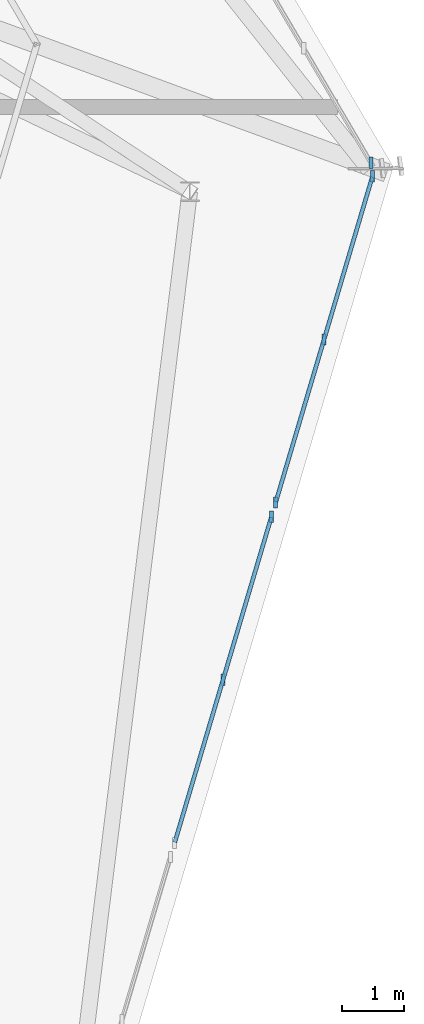
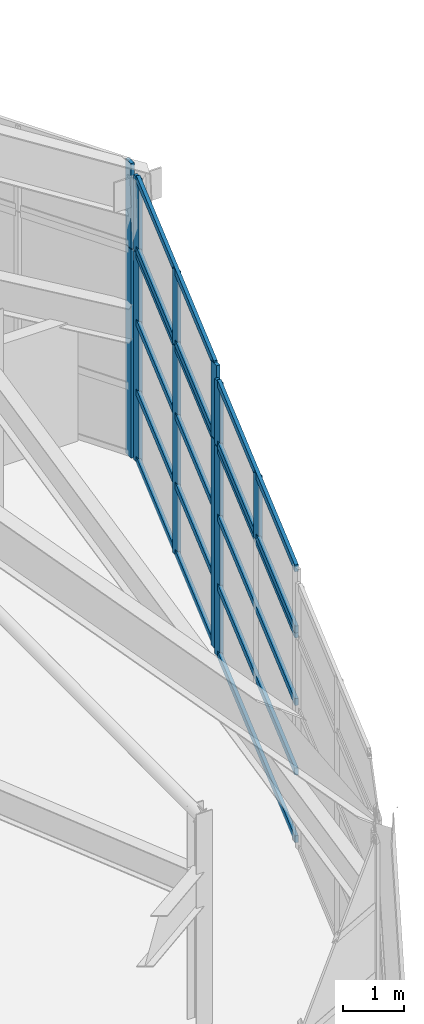
# One storey, part 16 of 50: 23 members, 6 elements without a shape of their own.
"""IFC4 building model written with IfcOpenShell, lengths in metres."""

from ifc_helpers import new_model, si_unit, direction, frame, origin, origin_2d, place, context, subcontext, project, spatial, rectangle, extrude, material, material_profile, profile_set, type_object, element, aggregate, save


model = new_model("IFC4")

# Units and contexts
model_context = context("Model", 3, precision=1e-05, world=origin(), true_north=direction((0.0, 1.0)))
body_context = subcontext(model_context, "Body", "Model", "MODEL_VIEW")
ifc_project = project(units=[si_unit("LENGTHUNIT", "METRE"), si_unit("AREAUNIT", "SQUARE_METRE"), si_unit("VOLUMEUNIT", "CUBIC_METRE"), si_unit("PLANEANGLEUNIT", "RADIAN"), si_unit("MASSUNIT", "GRAM", prefix="KILO")], contexts=[model_context])

# Site, building, storey
site_placement = place(None, origin())
site = spatial("IfcSite", under=ifc_project, at=site_placement, CompositionType="ELEMENT")
building_placement = place(site_placement, origin())
building = spatial("IfcBuilding", under=site, at=building_placement, Name="Sarnbrook Museum", CompositionType="ELEMENT")
storey_placement = place(building_placement, frame((0.0, 0.0, 28.10009765625)))
storey = spatial("IfcBuildingStorey", under=building, at=storey_placement, Name="L05", CompositionType="ELEMENT", Elevation=28.10009765625)

# Curtain wall, member
ifc_material = material(Name="Thermally Broken Anodised Aluminium 6063-T6", Category="aluminium")
curtain_wall_type_1 = type_object("IfcCurtainWallType", Name="CurtainWall_CrystalFacet", PredefinedType="NOTDEFINED", material=ifc_material)
curtain_wall_1_placement = place(storey_placement, origin())
curtain_wall_1 = element("IfcCurtainWall", 1, at=curtain_wall_1_placement, inside=storey, type_object=curtain_wall_type_1, Name="Crystal Hall Facet Curtain Wall L05-F3.2", PredefinedType="NOTDEFINED")
ifc_material_profile_1 = material_profile(ifc_material, rectangle(XDim=0.06494140625, YDim=0.179931640625, at=origin_2d()), Name="ALU MULLION 65x180")
ifc_profile_set_1 = profile_set([ifc_material_profile_1], Name="Thermally Broken Anodised Aluminium 6063-T6")
member_type_1 = type_object("IfcMemberType", Name="CW_Mullion_180x75", PredefinedType="MULLION", material=ifc_profile_set_1)
member_1_placement = place(storey_placement, frame((163.925537109375, 81.959716796875, 0.0), z_axis=(0.0, 0.0, 1.0), x_axis=(1.0, 0.0, 0.0)))
member_1 = element("IfcMember", 2, at=member_1_placement, type_object=member_type_1, Name="Crystal Hall Facet Curtain Wall L05-F3.2 Mullion 3", PredefinedType="MULLION", context=body_context, shape_type="SweptSolid", body=[
    extrude(rectangle(XDim=0.06494140625, YDim=0.179931640625, at=origin_2d()), origin(), (0.0, 0.0, 1.0), 4.199951171875),
])

# Curtain wall, members
curtain_wall_type_2 = type_object("IfcCurtainWallType", Name="CurtainWall_Sawtooth", PredefinedType="NOTDEFINED", material=ifc_material)
curtain_wall_2_placement = place(storey_placement, origin())
curtain_wall_2 = element("IfcCurtainWall", 3, at=curtain_wall_2_placement, inside=storey, type_object=curtain_wall_type_2, Name="Crystal Roof Folded Eaves Clerestory 3", PredefinedType="NOTDEFINED")
member_2_placement = place(storey_placement, frame((163.1435546875, 79.325439453125, 4.219970703125), z_axis=(0.0, 0.0, 1.0), x_axis=(1.0, 0.0, 0.0)))
member_2 = element("IfcMember", 4, at=member_2_placement, type_object=member_type_1, Name="Crystal Roof Folded Eaves Clerestory 3 Mullion 2", PredefinedType="MULLION", context=body_context, shape_type="SweptSolid", body=[
    extrude(rectangle(XDim=0.06494140625, YDim=0.179931640625, at=origin_2d()), origin(), (0.0, 0.0, 1.0), 1.309814453125),
])
member_3_placement = place(storey_placement, frame((163.925537109375, 81.959716796875, 4.219970703125), z_axis=(0.0, 0.0, 1.0), x_axis=(1.0, 0.0, 0.0)))
member_3 = element("IfcMember", 5, at=member_3_placement, type_object=member_type_1, Name="Crystal Roof Folded Eaves Clerestory 3 Mullion 3", PredefinedType="MULLION", context=body_context, shape_type="SweptSolid", body=[
    extrude(rectangle(XDim=0.06494140625, YDim=0.179931640625, at=origin_2d()), origin(), (0.0, 0.0, 1.0), 1.309814453125),
])

curtain_wall_3_placement = place(storey_placement, origin())
curtain_wall_3 = element("IfcCurtainWall", 6, at=curtain_wall_3_placement, inside=storey, type_object=curtain_wall_type_1, Name="Crystal Hall Facet Curtain Wall L05-F3.3", PredefinedType="NOTDEFINED")
member_4_placement = place(storey_placement, frame((163.993896484375, 82.189697265625, 0.0), z_axis=(0.0, 0.0, 1.0), x_axis=(1.0, 0.0, 0.0)))
member_4 = element("IfcMember", 7, at=member_4_placement, type_object=member_type_1, Name="Crystal Hall Facet Curtain Wall L05-F3.3 Mullion 1", PredefinedType="MULLION", context=body_context, shape_type="SweptSolid", body=[
    extrude(rectangle(XDim=0.06494140625, YDim=0.179931640625, at=origin_2d()), origin(), (0.0, 0.0, 1.0), 4.199951171875),
])
member_5_placement = place(storey_placement, frame((164.77587890625, 84.82421875, 0.0), z_axis=(0.0, 0.0, 1.0), x_axis=(1.0, 0.0, 0.0)))
member_5 = element("IfcMember", 8, at=member_5_placement, type_object=member_type_1, Name="Crystal Hall Facet Curtain Wall L05-F3.3 Mullion 2", PredefinedType="MULLION", context=body_context, shape_type="SweptSolid", body=[
    extrude(rectangle(XDim=0.06494140625, YDim=0.179931640625, at=origin_2d()), origin(), (0.0, 0.0, 1.0), 4.199951171875),
])
member_6_placement = place(storey_placement, frame((165.55810546875, 87.45849609375, 0.0), z_axis=(0.0, 0.0, 1.0), x_axis=(1.0, 0.0, 0.0)))
member_6 = element("IfcMember", 9, at=member_6_placement, type_object=member_type_1, Name="Crystal Hall Facet Curtain Wall L05-F3.3 Mullion 3", PredefinedType="MULLION", context=body_context, shape_type="SweptSolid", body=[
    extrude(rectangle(XDim=0.06494140625, YDim=0.179931640625, at=origin_2d()), origin(), (0.0, 0.0, 1.0), 4.199951171875),
])

curtain_wall_4_placement = place(storey_placement, origin())
curtain_wall_4 = element("IfcCurtainWall", 10, at=curtain_wall_4_placement, inside=storey, type_object=curtain_wall_type_2, Name="Crystal Roof Folded Eaves Clerestory 4", PredefinedType="NOTDEFINED")
member_7_placement = place(storey_placement, frame((163.993896484375, 82.189697265625, 4.219970703125), z_axis=(0.0, 0.0, 1.0), x_axis=(1.0, 0.0, 0.0)))
member_7 = element("IfcMember", 11, at=member_7_placement, type_object=member_type_1, Name="Crystal Roof Folded Eaves Clerestory 4 Mullion 1", PredefinedType="MULLION", context=body_context, shape_type="SweptSolid", body=[
    extrude(rectangle(XDim=0.06494140625, YDim=0.179931640625, at=origin_2d()), origin(), (0.0, 0.0, 1.0), 1.510009765625),
])
member_8_placement = place(storey_placement, frame((164.77587890625, 84.82421875, 4.219970703125), z_axis=(0.0, 0.0, 1.0), x_axis=(1.0, 0.0, 0.0)))
member_8 = element("IfcMember", 12, at=member_8_placement, type_object=member_type_1, Name="Crystal Roof Folded Eaves Clerestory 4 Mullion 2", PredefinedType="MULLION", context=body_context, shape_type="SweptSolid", body=[
    extrude(rectangle(XDim=0.06494140625, YDim=0.179931640625, at=origin_2d()), origin(), (0.0, 0.0, 1.0), 1.510009765625),
])
member_9_placement = place(storey_placement, frame((165.55810546875, 87.45849609375, 4.219970703125), z_axis=(0.0, 0.0, 1.0), x_axis=(1.0, 0.0, 0.0)))
member_9 = element("IfcMember", 13, at=member_9_placement, type_object=member_type_1, Name="Crystal Roof Folded Eaves Clerestory 4 Mullion 3", PredefinedType="MULLION", context=body_context, shape_type="SweptSolid", body=[
    extrude(rectangle(XDim=0.06494140625, YDim=0.179931640625, at=origin_2d()), origin(), (0.0, 0.0, 1.0), 1.510009765625),
])

# Curtain wall, member
curtain_wall_5_placement = place(storey_placement, origin())
curtain_wall_5 = element("IfcCurtainWall", 14, at=curtain_wall_5_placement, inside=storey, type_object=curtain_wall_type_1, Name="Crystal Hall Facet Curtain Wall L05-F4.1", PredefinedType="NOTDEFINED")
member_10_placement = place(storey_placement, frame((165.531494140625, 87.677001953125, 0.0), z_axis=(0.0, 0.0, 1.0), x_axis=(1.0, 0.0, 0.0)))
member_10 = element("IfcMember", 15, at=member_10_placement, type_object=member_type_1, Name="Crystal Hall Facet Curtain Wall L05-F4.1 Mullion 1", PredefinedType="MULLION", context=body_context, shape_type="SweptSolid", body=[
    extrude(rectangle(XDim=0.06494140625, YDim=0.179931640625, at=origin_2d()), origin(), (0.0, 0.0, 1.0), 4.199951171875),
])
aggregate(curtain_wall_5, [member_10])

curtain_wall_6_placement = place(storey_placement, origin())
curtain_wall_6 = element("IfcCurtainWall", 16, at=curtain_wall_6_placement, inside=storey, type_object=curtain_wall_type_2, Name="Crystal Roof Folded Eaves Clerestory 5", PredefinedType="NOTDEFINED")
member_11_placement = place(storey_placement, frame((165.531494140625, 87.677001953125, 4.219970703125), z_axis=(0.0, 0.0, 1.0), x_axis=(1.0, 0.0, 0.0)))
member_11 = element("IfcMember", 17, at=member_11_placement, type_object=member_type_1, Name="Crystal Roof Folded Eaves Clerestory 5 Mullion 1", PredefinedType="MULLION", context=body_context, shape_type="SweptSolid", body=[
    extrude(rectangle(XDim=0.06494140625, YDim=0.179931640625, at=origin_2d()), origin(), (0.0, 0.0, 1.0), 1.7099609375),
])
aggregate(curtain_wall_6, [member_11])

# Member
ifc_material_profile_2 = material_profile(ifc_material, rectangle(XDim=0.06494140625, YDim=0.139892578125, at=origin_2d()), Name="ALU TRANSOM 65x140")
ifc_profile_set_2 = profile_set([ifc_material_profile_2], Name="Thermally Broken Anodised Aluminium 6063-T6")
member_type_2 = type_object("IfcMemberType", Name="CW_Transom_150x65", PredefinedType="USERDEFINED", material=ifc_profile_set_2)
member_12_placement = place(storey_placement, frame((162.364501953125, 76.70068359375, 0.039794921875), z_axis=(0.284581643041, 0.95865180772, 0.0), x_axis=(-0.95865180772, 0.284581643041, 0.0)))
member_12 = element("IfcMember", 18, at=member_12_placement, type_object=member_type_2, Name="Crystal Hall Facet Curtain Wall L05-F3.2 Transom 1", ObjectType="TRANSOM", PredefinedType="USERDEFINED", context=body_context, shape_type="SweptSolid", body=[
    extrude(rectangle(XDim=0.06494140625, YDim=0.139892578125, at=origin_2d()), origin(), (0.0, 0.0, 1.0), 5.475830078125),
])

member_13_placement = place(storey_placement, frame((162.364501953125, 76.70068359375, 1.39990234375), z_axis=(0.284581643041, 0.95865180772, 0.0), x_axis=(-0.95865180772, 0.284581643041, 0.0)))
member_13 = element("IfcMember", 19, at=member_13_placement, type_object=member_type_2, Name="Crystal Hall Facet Curtain Wall L05-F3.2 Transom 2", ObjectType="TRANSOM", PredefinedType="USERDEFINED", context=body_context, shape_type="SweptSolid", body=[
    extrude(rectangle(XDim=0.06494140625, YDim=0.139892578125, at=origin_2d()), origin(), (0.0, 0.0, 1.0), 5.475830078125),
])

member_14_placement = place(storey_placement, frame((162.364501953125, 76.70068359375, 2.7998046875), z_axis=(0.284581643041, 0.95865180772, 0.0), x_axis=(-0.95865180772, 0.284581643041, 0.0)))
member_14 = element("IfcMember", 20, at=member_14_placement, type_object=member_type_2, Name="Crystal Hall Facet Curtain Wall L05-F3.2 Transom 3", ObjectType="TRANSOM", PredefinedType="USERDEFINED", context=body_context, shape_type="SweptSolid", body=[
    extrude(rectangle(XDim=0.06494140625, YDim=0.139892578125, at=origin_2d()), origin(), (0.0, 0.0, 1.0), 5.475830078125),
])

member_15_placement = place(storey_placement, frame((162.364501953125, 76.70068359375, 4.159912109375), z_axis=(0.284581643041, 0.95865180772, 0.0), x_axis=(-0.95865180772, 0.284581643041, 0.0)))
member_15 = element("IfcMember", 21, at=member_15_placement, type_object=member_type_2, Name="Crystal Hall Facet Curtain Wall L05-F3.2 Transom 4", ObjectType="TRANSOM", PredefinedType="USERDEFINED", context=body_context, shape_type="SweptSolid", body=[
    extrude(rectangle(XDim=0.06494140625, YDim=0.139892578125, at=origin_2d()), origin(), (0.0, 0.0, 1.0), 5.475830078125),
])

aggregate(curtain_wall_1, [member_1, member_12, member_13, member_14, member_15])

member_16_placement = place(storey_placement, frame((162.364501953125, 76.70068359375, 4.260009765625), z_axis=(0.284581643041, 0.95865180772, 0.0), x_axis=(-0.95865180772, 0.284581643041, 0.0)))
member_16 = element("IfcMember", 22, at=member_16_placement, type_object=member_type_2, Name="Crystal Roof Folded Eaves Clerestory 3 Transom 1", ObjectType="TRANSOM", PredefinedType="USERDEFINED", context=body_context, shape_type="SweptSolid", body=[
    extrude(rectangle(XDim=0.06494140625, YDim=0.139892578125, at=origin_2d()), origin(), (0.0, 0.0, 1.0), 5.475830078125),
])

member_17_placement = place(storey_placement, frame((162.364501953125, 76.70068359375, 5.489990234375), z_axis=(0.284581643041, 0.95865180772, 0.0), x_axis=(-0.95865180772, 0.284581643041, 0.0)))
member_17 = element("IfcMember", 23, at=member_17_placement, type_object=member_type_2, Name="Crystal Roof Folded Eaves Clerestory 3 Transom 2", ObjectType="TRANSOM", PredefinedType="USERDEFINED", context=body_context, shape_type="SweptSolid", body=[
    extrude(rectangle(XDim=0.06494140625, YDim=0.139892578125, at=origin_2d()), origin(), (0.0, 0.0, 1.0), 5.475830078125),
])

aggregate(curtain_wall_2, [member_2, member_3, member_16, member_17])

member_18_placement = place(storey_placement, frame((163.996826171875, 82.199462890625, 0.039794921875), z_axis=(0.284593806793, 0.958648196751, 0.0), x_axis=(-0.958648196751, 0.284593806793, 0.0)))
member_18 = element("IfcMember", 24, at=member_18_placement, type_object=member_type_2, Name="Crystal Hall Facet Curtain Wall L05-F3.3 Transom 1", ObjectType="TRANSOM", PredefinedType="USERDEFINED", context=body_context, shape_type="SweptSolid", body=[
    extrude(rectangle(XDim=0.06494140625, YDim=0.139892578125, at=origin_2d()), origin(), (0.0, 0.0, 1.0), 5.4755859375),
])

member_19_placement = place(storey_placement, frame((163.996826171875, 82.199462890625, 1.39990234375), z_axis=(0.284593806793, 0.958648196751, 0.0), x_axis=(-0.958648196751, 0.284593806793, 0.0)))
member_19 = element("IfcMember", 25, at=member_19_placement, type_object=member_type_2, Name="Crystal Hall Facet Curtain Wall L05-F3.3 Transom 2", ObjectType="TRANSOM", PredefinedType="USERDEFINED", context=body_context, shape_type="SweptSolid", body=[
    extrude(rectangle(XDim=0.06494140625, YDim=0.139892578125, at=origin_2d()), origin(), (0.0, 0.0, 1.0), 5.4755859375),
])

member_20_placement = place(storey_placement, frame((163.996826171875, 82.199462890625, 2.7998046875), z_axis=(0.284593806793, 0.958648196751, 0.0), x_axis=(-0.958648196751, 0.284593806793, 0.0)))
member_20 = element("IfcMember", 26, at=member_20_placement, type_object=member_type_2, Name="Crystal Hall Facet Curtain Wall L05-F3.3 Transom 3", ObjectType="TRANSOM", PredefinedType="USERDEFINED", context=body_context, shape_type="SweptSolid", body=[
    extrude(rectangle(XDim=0.06494140625, YDim=0.139892578125, at=origin_2d()), origin(), (0.0, 0.0, 1.0), 5.4755859375),
])

member_21_placement = place(storey_placement, frame((163.996826171875, 82.199462890625, 4.159912109375), z_axis=(0.284593806793, 0.958648196751, 0.0), x_axis=(-0.958648196751, 0.284593806793, 0.0)))
member_21 = element("IfcMember", 27, at=member_21_placement, type_object=member_type_2, Name="Crystal Hall Facet Curtain Wall L05-F3.3 Transom 4", ObjectType="TRANSOM", PredefinedType="USERDEFINED", context=body_context, shape_type="SweptSolid", body=[
    extrude(rectangle(XDim=0.06494140625, YDim=0.139892578125, at=origin_2d()), origin(), (0.0, 0.0, 1.0), 5.4755859375),
])

aggregate(curtain_wall_3, [member_4, member_5, member_6, member_18, member_19, member_20, member_21])

member_22_placement = place(storey_placement, frame((163.996826171875, 82.199462890625, 4.260009765625), z_axis=(0.284593806793, 0.958648196751, 0.0), x_axis=(-0.958648196751, 0.284593806793, 0.0)))
member_22 = element("IfcMember", 28, at=member_22_placement, type_object=member_type_2, Name="Crystal Roof Folded Eaves Clerestory 4 Transom 1", ObjectType="TRANSOM", PredefinedType="USERDEFINED", context=body_context, shape_type="SweptSolid", body=[
    extrude(rectangle(XDim=0.06494140625, YDim=0.139892578125, at=origin_2d()), origin(), (0.0, 0.0, 1.0), 5.4755859375),
])

member_23_placement = place(storey_placement, frame((163.996826171875, 82.199462890625, 5.68994140625), z_axis=(0.284593806793, 0.958648196751, 0.0), x_axis=(-0.958648196751, 0.284593806793, 0.0)))
member_23 = element("IfcMember", 29, at=member_23_placement, type_object=member_type_2, Name="Crystal Roof Folded Eaves Clerestory 4 Transom 2", ObjectType="TRANSOM", PredefinedType="USERDEFINED", context=body_context, shape_type="SweptSolid", body=[
    extrude(rectangle(XDim=0.06494140625, YDim=0.139892578125, at=origin_2d()), origin(), (0.0, 0.0, 1.0), 5.4755859375),
])

aggregate(curtain_wall_4, [member_7, member_8, member_9, member_22, member_23])

save(model, "model.ifc")
